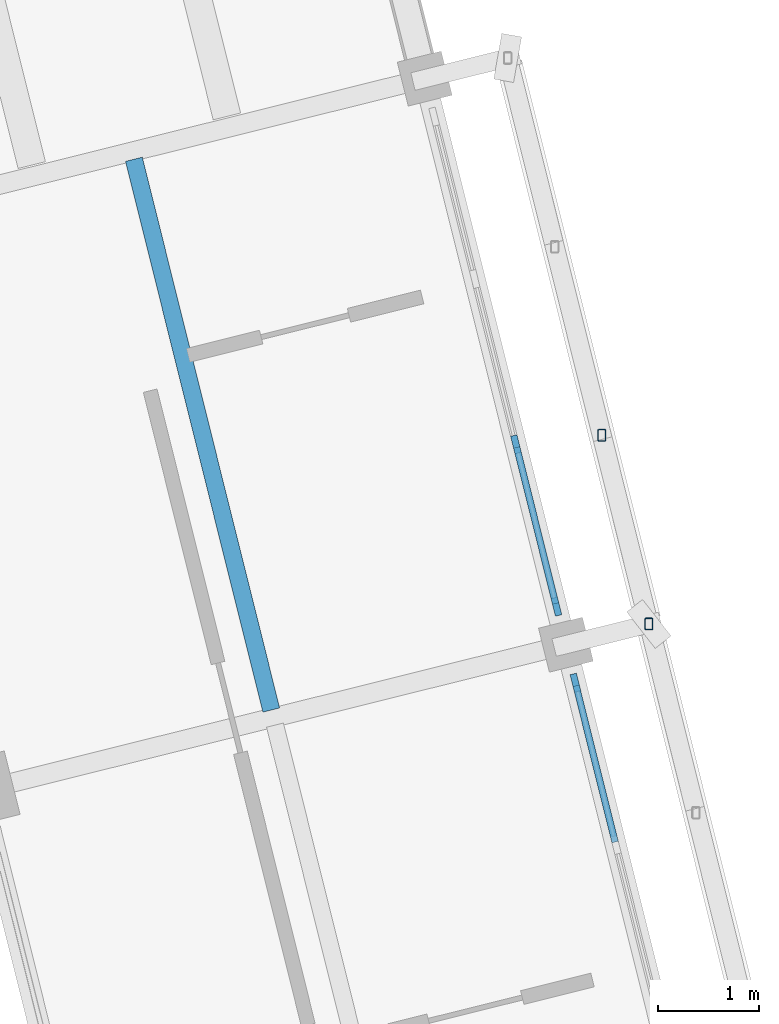
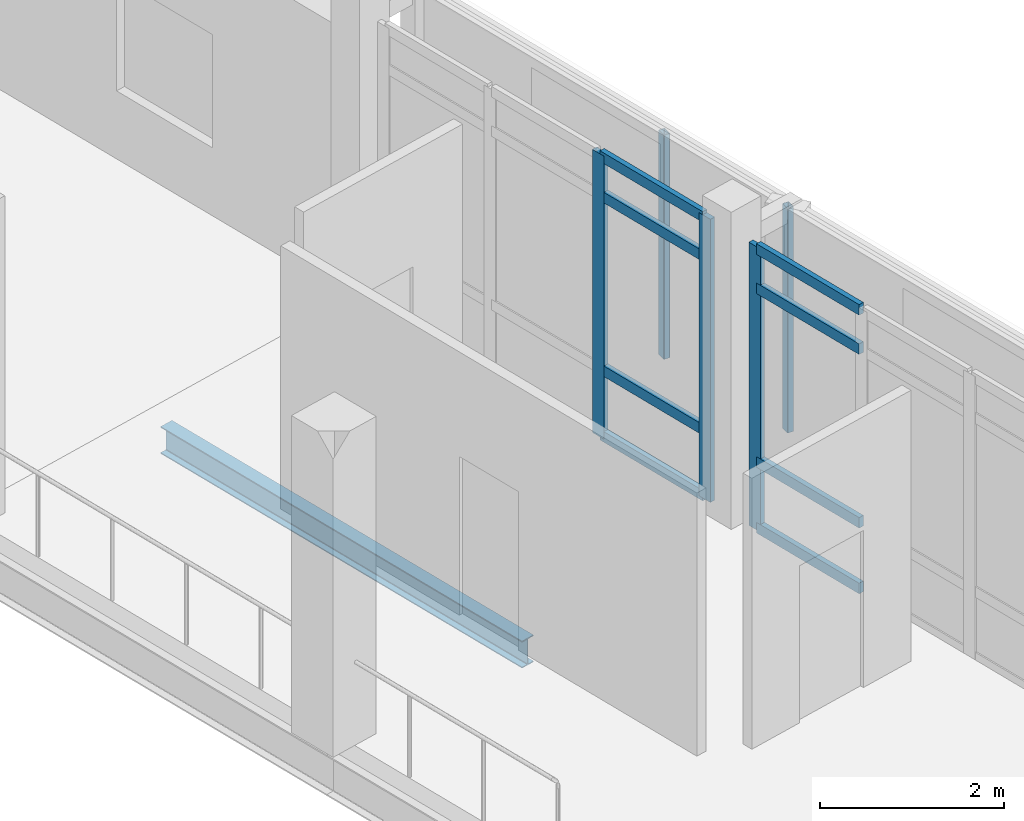
# One storey, part 22 of 137: 13 members, 1 beam, 2 elements without a shape of their own.
"""IFC4 building model written with IfcOpenShell, lengths in metres."""

import ifcopenshell
import ifcopenshell.guid

model = None  # the IFC model being written
_history = None  # IfcOwnerHistory: only IFC2X3 demands one
_inside = {}  # id of a spatial element -> (the spatial element, [elements in it])
_under = {}  # id of a project, library or spatial element -> (it, [spatial elements below it])
_declared = {}  # id of a project -> (the project, [libraries it declares])
_typed = {}  # id of a type object -> (the type object, [elements of that type])
_made_of = {}  # id of a material, layer set ... -> (it, [elements and type objects made of it])


def new_model(schema):
    """Start an empty IFC model of exactly this schema.

    Asked for "IFC4X3", IfcOpenShell would pick the latest addendum, in which some entities
    have other attributes; the version numbers below select the first issue.
    IFC2X3 requires an IfcOwnerHistory on every rooted entity: one is made here for all.
    """
    global model, _history
    if schema == "IFC4X3":
        model = ifcopenshell.file(schema_version=(4, 3, 0, 0))
    else:
        model = ifcopenshell.file(schema=schema)
    _inside.clear()
    _under.clear()
    _declared.clear()
    _typed.clear()
    _made_of.clear()
    _history = None
    if model.schema == "IFC2X3":
        org = make("IfcOrganization", Name="unknown")
        user = make(
            "IfcPersonAndOrganization",
            ThePerson=make("IfcPerson", FamilyName="unknown"),
            TheOrganization=org,
        )
        app = make(
            "IfcApplication",
            ApplicationDeveloper=org,
            Version="unknown",
            ApplicationFullName="unknown",
            ApplicationIdentifier="unknown",
        )
        _history = make(
            "IfcOwnerHistory",
            OwningUser=user,
            OwningApplication=app,
            ChangeAction="ADDED",
            CreationDate=0,
        )
    return model


def make(cls, **values):
    """One entity of the class cls with the attributes given. An attribute that is None is left unset."""
    return model.create_entity(
        cls, **{name: value for name, value in values.items() if value is not None}
    )


def rooted(cls, **values):
    """An entity with a GlobalId (a new one), such as an element, a storey or a relation."""
    return make(cls, GlobalId=ifcopenshell.guid.new(), OwnerHistory=_history, **values)


def si_unit(unit_type, name, prefix=None):
    """IfcSIUnit, for example si_unit("LENGTHUNIT", "METRE", prefix="MILLI")."""
    return make("IfcSIUnit", UnitType=unit_type, Prefix=prefix, Name=name)


def assignment(units):
    """IfcUnitAssignment: the units of a project."""
    return None if units is None else make("IfcUnitAssignment", Units=units)


def point(xyz):
    """IfcCartesianPoint."""
    return None if xyz is None else make("IfcCartesianPoint", Coordinates=xyz)


def direction(xyz):
    """IfcDirection."""
    return None if xyz is None else make("IfcDirection", DirectionRatios=xyz)


def frame(location, z_axis=None, x_axis=None):
    """IfcAxis2Placement3D, a coordinate frame: its origin and axes. An axis left out is left unset."""
    return make(
        "IfcAxis2Placement3D",
        Location=point(location),
        Axis=direction(z_axis),
        RefDirection=direction(x_axis),
    )


def frame_2d(location, x_axis=None):
    """IfcAxis2Placement2D, a coordinate frame in the plane: its origin and x axis."""
    return make(
        "IfcAxis2Placement2D", Location=point(location), RefDirection=direction(x_axis)
    )


def origin():
    """The frame at (0, 0, 0) with its axes left unset."""
    return frame((0.0, 0.0, 0.0))


def origin_2d():
    """The frame at (0, 0) in the plane with its x axis left unset."""
    return frame_2d((0.0, 0.0))


def place(relative_to, where):
    """IfcLocalPlacement: puts the frame where relative to a parent placement (None: the world)."""
    return make(
        "IfcLocalPlacement", PlacementRelTo=relative_to, RelativePlacement=where
    )


def context(
    kind, dimensions, precision=None, world=None, true_north=None, identifier=None
):
    """IfcGeometricRepresentationContext, for example the 3D "Model" context."""
    return make(
        "IfcGeometricRepresentationContext",
        ContextIdentifier=identifier,
        ContextType=kind,
        CoordinateSpaceDimension=dimensions,
        Precision=precision,
        WorldCoordinateSystem=world,
        TrueNorth=true_north,
    )


def subcontext(parent, identifier, kind, view, scale=None):
    """IfcGeometricRepresentationSubContext, for example "Body" below "Model"."""
    return make(
        "IfcGeometricRepresentationSubContext",
        ContextIdentifier=identifier,
        ContextType=kind,
        ParentContext=parent,
        TargetScale=scale,
        TargetView=view,
    )


def project(units=None, contexts=None):
    """IfcProject with its units and contexts."""
    return rooted(
        "IfcProject",
        Name="project",
        RepresentationContexts=contexts,
        UnitsInContext=assignment(units),
    )


def spatial(cls, under=None, at=None, **own):
    """A site, building, storey or space (cls), placed at a placement, below another one or the project."""
    s = rooted(cls, ObjectPlacement=at, **own)
    if under is not None:
        _under.setdefault(under.id(), (under, []))[1].append(s)
    return s


def profile(cls, at=None, kind="AREA", **sizes):
    """A parametric profile (cls). Its sizes go by their IFC names, for example OverallWidth=200.0."""
    return make(cls, ProfileType=kind, Position=at, **sizes)


def rectangle(**sizes):
    """IfcRectangleProfileDef."""
    return profile("IfcRectangleProfileDef", **sizes)


def hollow_rectangle(**sizes):
    """IfcRectangleHollowProfileDef."""
    return profile("IfcRectangleHollowProfileDef", **sizes)


def i_section(**sizes):
    """IfcIShapeProfileDef."""
    return profile("IfcIShapeProfileDef", **sizes)


def extrude(swept, where, along, depth):
    """IfcExtrudedAreaSolid: the profile swept, set in the frame where, extruded along a direction by depth."""
    return make(
        "IfcExtrudedAreaSolid",
        SweptArea=swept,
        Position=where,
        ExtrudedDirection=direction(along),
        Depth=depth,
    )


def shape(context_of_items, identifier, shape_type, items):
    """IfcShapeRepresentation: the items that make up one representation, for example the "Body"."""
    return make(
        "IfcShapeRepresentation",
        ContextOfItems=context_of_items,
        RepresentationIdentifier=identifier,
        RepresentationType=shape_type,
        Items=items,
    )


def material(Name=None, Category=None):
    """IfcMaterial."""
    return make("IfcMaterial", Name=Name, Category=Category)


def material_profile(
    of_material, cross_section, Name=None, Category=None, Priority=None
):
    """IfcMaterialProfile: a cross section and its material."""
    return make(
        "IfcMaterialProfile",
        Name=Name,
        Material=of_material,
        Profile=cross_section,
        Priority=Priority,
        Category=Category,
    )


def profile_set(profiles, Name=None, composite=None):
    """IfcMaterialProfileSet."""
    return make(
        "IfcMaterialProfileSet",
        Name=Name,
        MaterialProfiles=profiles,
        CompositeProfile=composite,
    )


def made_of(thing, what):
    """Note that an element or type object is made of a material, layer set ...; save() writes the relation."""
    if what is not None:
        _made_of.setdefault(what.id(), (what, []))[1].append(thing)
    return thing


def type_object(cls, material=None, **own):
    """A type object (cls), such as IfcWallType, which elements share."""
    return made_of(rooted(cls, **own), material)


def element(
    cls,
    number,
    at=None,
    inside=None,
    cuts=None,
    type_object=None,
    material=None,
    context=None,
    identifier="Body",
    shape_type=None,
    held_by="IfcProductDefinitionShape",
    body=None,
    shapes=None,
    **own,
):
    """One element of the class cls, such as IfcWall. Its Tag is "e" and its number.

    at: its placement. inside: the storey or other place that contains it. cuts: it is an
    opening in that element (IfcRelVoidsElement). A single representation is given by context,
    identifier, shape_type and body (its items); several are given by shapes. held_by: the class
    of the entity that holds the representations. save() writes the other relations.
    """
    e = rooted(cls, Tag="e%d" % number, ObjectPlacement=at, **own)
    if body is not None:
        shapes = [shape(context, identifier, shape_type, body)]
    if shapes is not None:
        e.Representation = make(held_by, Representations=shapes)
    if inside is not None:
        _inside.setdefault(inside.id(), (inside, []))[1].append(e)
    if cuts is not None:
        rooted(
            "IfcRelVoidsElement", RelatingBuildingElement=cuts, RelatedOpeningElement=e
        )
    if type_object is not None:
        _typed.setdefault(type_object.id(), (type_object, []))[1].append(e)
    return made_of(e, material)


def aggregate(whole, parts):
    """IfcRelAggregates: a whole, such as a stair, and the parts it consists of."""
    return rooted("IfcRelAggregates", RelatingObject=whole, RelatedObjects=parts)


def save(model, path):
    """Write the relations noted so far, then the file.

    IfcRelAggregates (storeys below a building ...), IfcRelContainedInSpatialStructure (elements
    in a storey), IfcRelDefinesByType, IfcRelAssociatesMaterial and IfcRelDeclares: one each for
    every whole, place, type object, material and project.
    """
    for whole, parts in _under.values():
        aggregate(whole, parts)
    for where, things in _inside.values():
        rooted(
            "IfcRelContainedInSpatialStructure",
            RelatedElements=things,
            RelatingStructure=where,
        )
    for kind, things in _typed.values():
        rooted("IfcRelDefinesByType", RelatedObjects=things, RelatingType=kind)
    for what, things in _made_of.values():
        rooted("IfcRelAssociatesMaterial", RelatedObjects=things, RelatingMaterial=what)
    for by, libraries in _declared.values():
        rooted("IfcRelDeclares", RelatingContext=by, RelatedDefinitions=libraries)
    model.write(path)


model = new_model("IFC4")

# Units and contexts
model_context = context("Model", 3, precision=1e-05, world=origin(), true_north=direction((0.0, 1.0)))
body_context = subcontext(model_context, "Body", "Model", "MODEL_VIEW")
ifc_project = project(units=[si_unit("LENGTHUNIT", "METRE"), si_unit("AREAUNIT", "SQUARE_METRE"), si_unit("VOLUMEUNIT", "CUBIC_METRE"), si_unit("PLANEANGLEUNIT", "RADIAN"), si_unit("MASSUNIT", "GRAM", prefix="KILO")], contexts=[model_context])

# Site, building, storey
site_placement = place(None, origin())
site = spatial("IfcSite", under=ifc_project, at=site_placement, CompositionType="ELEMENT")
building_placement = place(site_placement, origin())
building = spatial("IfcBuilding", under=site, at=building_placement, Name="Cinderway Yard Community Centre", CompositionType="ELEMENT")
storey_placement = place(building_placement, frame((0.0, 0.0, 4.800048828125)))
storey = spatial("IfcBuildingStorey", under=building, at=storey_placement, Name="L01", CompositionType="ELEMENT", Elevation=4.800048828125)

# Curtain wall, member
ifc_material_1 = material(Name="Aluminium 6063-T6", Category="aluminium")
curtain_wall_type = type_object("IfcCurtainWallType", Name="ENV-CW-TYPE-04", PredefinedType="USERDEFINED", material=ifc_material_1)
curtain_wall_1_placement = place(storey_placement, origin())
curtain_wall_1 = element("IfcCurtainWall", 1, at=curtain_wall_1_placement, inside=storey, type_object=curtain_wall_type, Name="Main Hall Courtyard Curtain Wall ENV-CW-L01-HS-0015", ObjectType="GLAZED CURTAIN WALL", PredefinedType="USERDEFINED")
ifc_material_profile_1 = material_profile(ifc_material_1, rectangle(XDim=0.06494140625, YDim=0.179931640625, at=origin_2d()), Name="Aluminium 6063-T6")
ifc_profile_set_1 = profile_set([ifc_material_profile_1], Name="Aluminium 6063-T6")
member_type_1 = type_object("IfcMemberType", Name="ENV-CW-MULL-180", PredefinedType="MULLION", material=ifc_profile_set_1)
member_1_placement = place(storey_placement, frame((44.475341796875, 66.72998046875, 0.0), z_axis=(0.0, 0.0, 1.0), x_axis=(-0.970292848611, -0.241933436991, 0.0)))
member_1 = element("IfcMember", 2, at=member_1_placement, type_object=member_type_1, Name="CW-04 mullion 4", PredefinedType="MULLION", context=body_context, shape_type="SweptSolid", body=[
    extrude(rectangle(XDim=0.06494140625, YDim=0.179931640625, at=origin_2d()), origin(), (0.0, 0.0, 1.0), 3.75),
])

# Curtain wall, members
curtain_wall_2_placement = place(storey_placement, origin())
curtain_wall_2 = element("IfcCurtainWall", 3, at=curtain_wall_2_placement, inside=storey, type_object=curtain_wall_type, Name="Main Hall Courtyard Curtain Wall ENV-CW-L01-HS-0016", ObjectType="GLAZED CURTAIN WALL", PredefinedType="USERDEFINED")
member_2_placement = place(storey_placement, frame((44.28662109375, 67.486083984375, 0.0), z_axis=(0.0, 0.0, 1.0), x_axis=(-0.970258158409, -0.242072522276, 0.0)))
member_2 = element("IfcMember", 4, at=member_2_placement, type_object=member_type_1, Name="CW-04 mullion 1", PredefinedType="MULLION", context=body_context, shape_type="SweptSolid", body=[
    extrude(rectangle(XDim=0.06494140625, YDim=0.179931640625, at=origin_2d()), origin(), (0.0, 0.0, 1.0), 3.75),
])
member_3_placement = place(storey_placement, frame((43.884033203125, 69.100341796875, 0.0), z_axis=(0.0, 0.0, 1.0), x_axis=(-0.970258158409, -0.242072522276, 0.0)))
member_3 = element("IfcMember", 5, at=member_3_placement, type_object=member_type_1, Name="CW-04 mullion 2", PredefinedType="MULLION", context=body_context, shape_type="SweptSolid", body=[
    extrude(rectangle(XDim=0.06494140625, YDim=0.179931640625, at=origin_2d()), origin(), (0.0, 0.0, 1.0), 3.75),
])

# Member
ifc_material_profile_2 = material_profile(ifc_material_1, rectangle(XDim=0.06494140625, YDim=0.139892578125, at=origin_2d()), Name="Aluminium 6063-T6")
ifc_profile_set_2 = profile_set([ifc_material_profile_2], Name="Aluminium 6063-T6")
member_type_2 = type_object("IfcMemberType", Name="ENV-CW-TRAN-140", PredefinedType="USERDEFINED", material=ifc_profile_set_2)
member_4_placement = place(storey_placement, frame((44.870361328125, 65.14501953125, 0.030029296875), z_axis=(-0.241962318399, 0.970285646846, 0.0), x_axis=(-0.970285646846, -0.241962318399, 0.0)))
member_4 = element("IfcMember", 6, at=member_4_placement, type_object=member_type_2, Name="CW-04 transom 3.1", ObjectType="TRANSOM", PredefinedType="USERDEFINED", context=body_context, shape_type="SweptSolid", body=[
    extrude(rectangle(XDim=0.06494140625, YDim=0.139892578125, at=origin_2d()), origin(), (0.0, 0.0, 1.0), 1.603271484375),
])

member_5_placement = place(storey_placement, frame((44.870361328125, 65.14501953125, 0.89990234375), z_axis=(-0.241962318399, 0.970285646846, 0.0), x_axis=(-0.970285646846, -0.241962318399, 0.0)))
member_5 = element("IfcMember", 7, at=member_5_placement, type_object=member_type_2, Name="CW-04 transom 3.2", ObjectType="TRANSOM", PredefinedType="USERDEFINED", context=body_context, shape_type="SweptSolid", body=[
    extrude(rectangle(XDim=0.06494140625, YDim=0.139892578125, at=origin_2d()), origin(), (0.0, 0.0, 1.0), 1.603271484375),
])

member_6_placement = place(storey_placement, frame((44.870361328125, 65.14501953125, 3.199951171875), z_axis=(-0.241962318399, 0.970285646846, 0.0), x_axis=(-0.970285646846, -0.241962318399, 0.0)))
member_6 = element("IfcMember", 8, at=member_6_placement, type_object=member_type_2, Name="CW-04 transom 3.3", ObjectType="TRANSOM", PredefinedType="USERDEFINED", context=body_context, shape_type="SweptSolid", body=[
    extrude(rectangle(XDim=0.06494140625, YDim=0.139892578125, at=origin_2d()), origin(), (0.0, 0.0, 1.0), 1.603271484375),
])

member_7_placement = place(storey_placement, frame((44.870361328125, 65.14501953125, 3.719970703125), z_axis=(-0.241962318399, 0.970285646846, 0.0), x_axis=(-0.970285646846, -0.241962318399, 0.0)))
member_7 = element("IfcMember", 9, at=member_7_placement, type_object=member_type_2, Name="CW-04 transom 3.4", ObjectType="TRANSOM", PredefinedType="USERDEFINED", context=body_context, shape_type="SweptSolid", body=[
    extrude(rectangle(XDim=0.06494140625, YDim=0.139892578125, at=origin_2d()), origin(), (0.0, 0.0, 1.0), 1.603271484375),
])

aggregate(curtain_wall_1, [member_1, member_4, member_5, member_6, member_7])

member_8_placement = place(storey_placement, frame((44.279541015625, 67.51513671875, 0.030029296875), z_axis=(-0.242034153032, 0.970267730457, 0.0), x_axis=(-0.970267730457, -0.242034153032, 0.0)))
member_8 = element("IfcMember", 10, at=member_8_placement, type_object=member_type_2, Name="CW-04 transom 1.1", ObjectType="TRANSOM", PredefinedType="USERDEFINED", context=body_context, shape_type="SweptSolid", body=[
    extrude(rectangle(XDim=0.06494140625, YDim=0.139892578125, at=origin_2d()), origin(), (0.0, 0.0, 1.0), 1.603759765625),
])

member_9_placement = place(storey_placement, frame((44.279541015625, 67.51513671875, 0.89990234375), z_axis=(-0.242034153032, 0.970267730457, 0.0), x_axis=(-0.970267730457, -0.242034153032, 0.0)))
member_9 = element("IfcMember", 11, at=member_9_placement, type_object=member_type_2, Name="CW-04 transom 1.2", ObjectType="TRANSOM", PredefinedType="USERDEFINED", context=body_context, shape_type="SweptSolid", body=[
    extrude(rectangle(XDim=0.06494140625, YDim=0.139892578125, at=origin_2d()), origin(), (0.0, 0.0, 1.0), 1.603759765625),
])

member_10_placement = place(storey_placement, frame((44.279541015625, 67.51513671875, 3.199951171875), z_axis=(-0.242034153032, 0.970267730457, 0.0), x_axis=(-0.970267730457, -0.242034153032, 0.0)))
member_10 = element("IfcMember", 12, at=member_10_placement, type_object=member_type_2, Name="CW-04 transom 1.3", ObjectType="TRANSOM", PredefinedType="USERDEFINED", context=body_context, shape_type="SweptSolid", body=[
    extrude(rectangle(XDim=0.06494140625, YDim=0.139892578125, at=origin_2d()), origin(), (0.0, 0.0, 1.0), 1.603759765625),
])

member_11_placement = place(storey_placement, frame((44.279541015625, 67.51513671875, 3.719970703125), z_axis=(-0.242034153032, 0.970267730457, 0.0), x_axis=(-0.970267730457, -0.242034153032, 0.0)))
member_11 = element("IfcMember", 13, at=member_11_placement, type_object=member_type_2, Name="CW-04 transom 1.4", ObjectType="TRANSOM", PredefinedType="USERDEFINED", context=body_context, shape_type="SweptSolid", body=[
    extrude(rectangle(XDim=0.06494140625, YDim=0.139892578125, at=origin_2d()), origin(), (0.0, 0.0, 1.0), 1.603759765625),
])

aggregate(curtain_wall_2, [member_2, member_3, member_8, member_9, member_10, member_11])

# Members
ifc_material_2 = material(Name="Steel S355", Category="steel")
ifc_material_profile_3 = material_profile(ifc_material_2, hollow_rectangle(XDim=0.080078125, YDim=0.1201171875, WallThickness=0.00634765625, InnerFilletRadius=0.00634765625, OuterFilletRadius=0.0126953125, at=origin_2d()), Name="Steel S355")
ifc_profile_set_3 = profile_set([ifc_material_profile_3], Name="Steel S355")
member_type_3 = type_object("IfcMemberType", Name="ENV-MEM-SCREEN-RAIL-120", PredefinedType="STRINGER", material=ifc_profile_set_3)
for number, where, z_axis, x_axis, name in (
    (14, (45.2060546875, 67.31396484375, 0.68994140625), (0.0, 0.0, 1.0), (1.0, 0.0, 0.0), "Screen vertical mullion 0818"),
    (15, (44.738037109375, 69.18994140625, 0.68994140625), (0.0, 0.0, 1.0), (1.0, 0.0, 0.0), "Screen vertical mullion 0822"),
):
    element("IfcMember", number, at=place(storey_placement, frame(where, z_axis=z_axis, x_axis=x_axis)), inside=storey, type_object=member_type_3, Name=name, PredefinedType="STRINGER", context=body_context, shape_type="SweptSolid", body=[
        extrude(hollow_rectangle(XDim=0.080078125, YDim=0.1201171875, WallThickness=0.00634765625, InnerFilletRadius=0.00634765625, OuterFilletRadius=0.0126953125, at=origin_2d()), origin(), (0.0, 0.0, 1.0), 2.969970703125),
    ])

# Beam
ifc_material_profile_4 = material_profile(ifc_material_2, i_section(OverallWidth=0.172119140625, OverallDepth=0.35791015625, WebThickness=0.0078125, FlangeThickness=0.01318359375, FilletRadius=0.010986328125, at=origin_2d()), Name="Steel S355")
ifc_profile_set_4 = profile_set([ifc_material_profile_4], Name="Steel S355")
beam_type = type_object("IfcBeamType", Name="STR-BM-W360X57", PredefinedType="JOIST", material=ifc_profile_set_4)
beam_placement = place(storey_placement, frame((41.450927734375, 66.4580078125, -0.4189453125), z_axis=(-0.241986051488, 0.970279728164, 0.0), x_axis=(-0.970279728164, -0.241986051488, 0.0)))
element("IfcBeam", 16, at=beam_placement, inside=storey, type_object=beam_type, Name="Secondary joist STR-BM-L01-SJ03-0044", PredefinedType="JOIST", context=body_context, shape_type="SweptSolid", body=[
    extrude(i_section(OverallWidth=0.172119140625, OverallDepth=0.35791015625, WebThickness=0.0078125, FlangeThickness=0.01318359375, FilletRadius=0.010986328125, at=origin_2d()), origin(), (0.0, 0.0, 1.0), 5.644775390625),
])

save(model, "model.ifc")
